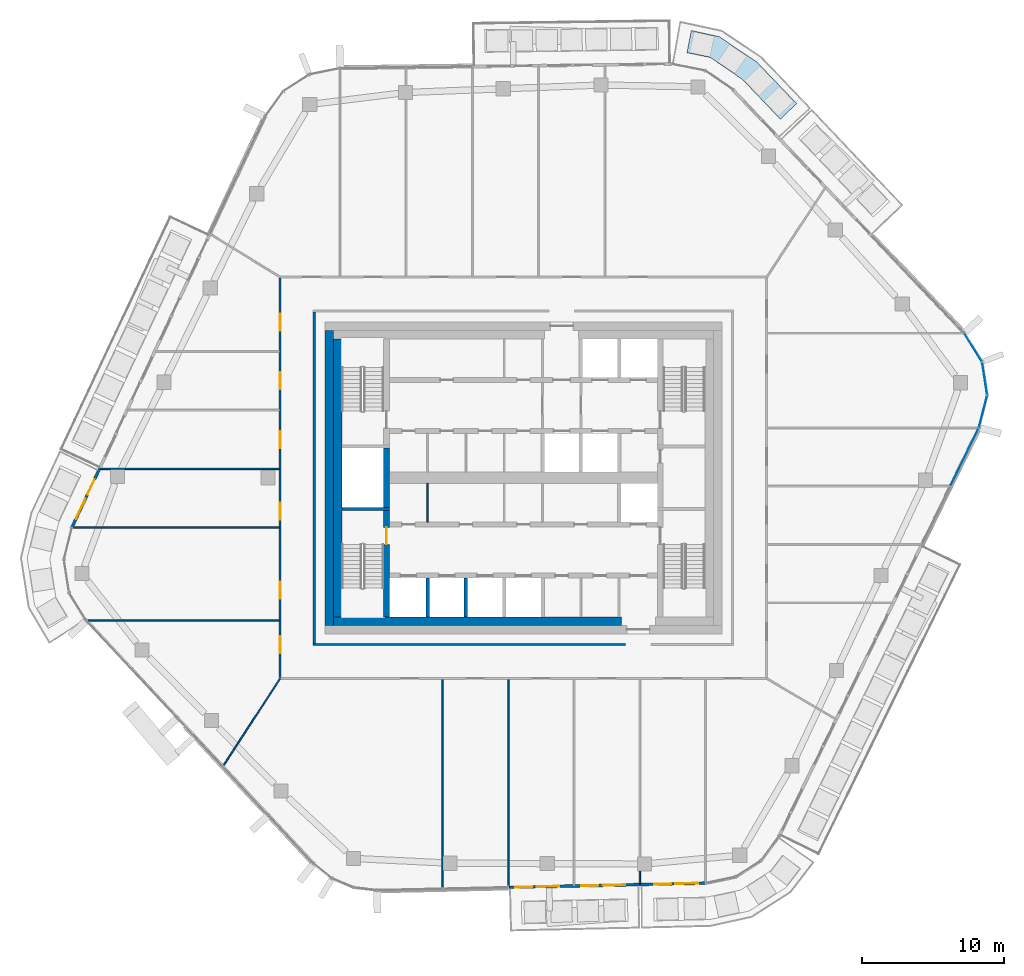
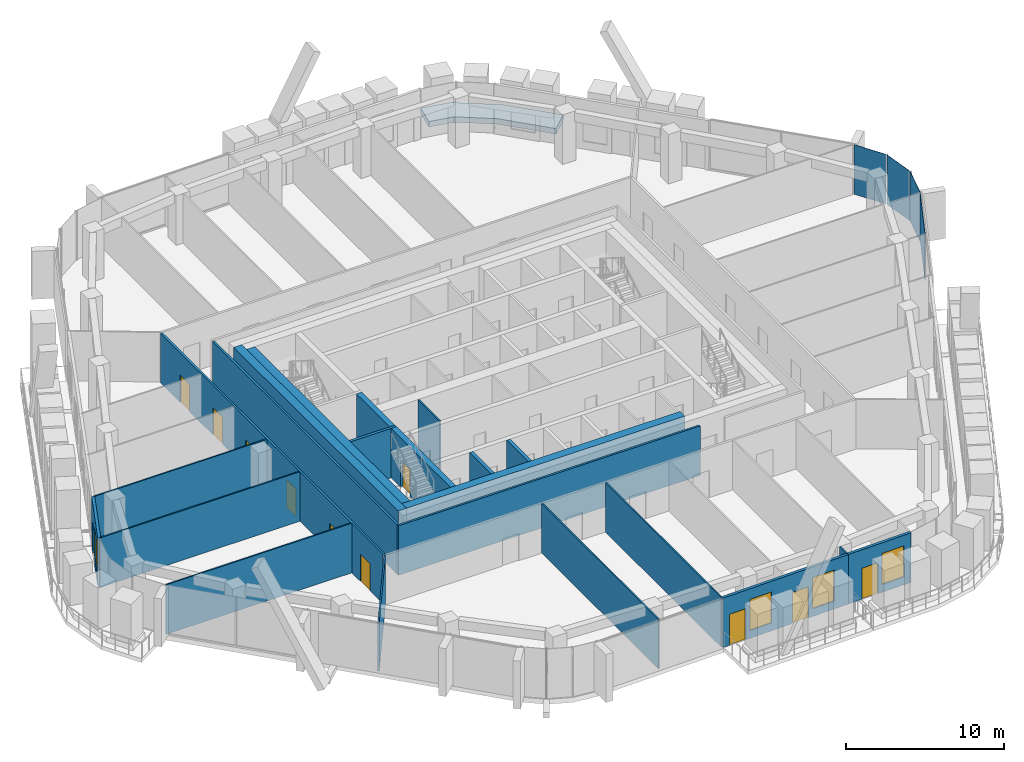
# One storey, part 12 of 23: 22 walls, 11 doors, 4 plates, 4 windows, 1 slab, 15 openings, 2 elements without a shape of their own.
"""IFC4 building model written with IfcOpenShell, lengths in metres."""

from ifc_helpers import new_model, si_unit, direction, frame, frame_2d, origin, origin_2d, place, context, subcontext, project, spatial, polyline, rectangle, outline, extrude, material, layer, layer_set, type_object, element, fill, aggregate, save


model = new_model("IFC4")

# Units and contexts
model_context = context("Model", 3, precision=1e-05, world=origin(), true_north=direction((0.0, 1.0)))
body_context = subcontext(model_context, "Body", "Model", "MODEL_VIEW")
ifc_project = project(units=[si_unit("LENGTHUNIT", "METRE"), si_unit("AREAUNIT", "SQUARE_METRE"), si_unit("VOLUMEUNIT", "CUBIC_METRE"), si_unit("PLANEANGLEUNIT", "RADIAN"), si_unit("MASSUNIT", "GRAM", prefix="KILO")], contexts=[model_context])

# Site, building, storey
site_placement = place(None, origin())
site = spatial("IfcSite", under=ifc_project, at=site_placement, CompositionType="ELEMENT")
building_placement = place(site_placement, origin())
building = spatial("IfcBuilding", under=site, at=building_placement, Name="Dongbaek Canopy Tower", CompositionType="ELEMENT")
storey_placement = place(building_placement, frame((0.0, 0.0, 340.39990234375)))
storey = spatial("IfcBuildingStorey", under=building, at=storey_placement, Name="L73", CompositionType="ELEMENT", Elevation=340.39990234375)

# Curtain wall, plates
ifc_material_1 = material(Name="Aluminium 6063-T6 pale anodised", Category="aluminium")
ifc_layer_1 = layer(ifc_material_1, 0.199951171875)
ifc_layer_set_1 = layer_set([ifc_layer_1], Name="CW-1 unitised tower curtain wall")
curtain_wall_type = type_object("IfcCurtainWallType", Name="CW-1 unitised tower curtain wall", PredefinedType="NOTDEFINED", material=ifc_layer_set_1)
curtain_wall_1_placement = place(storey_placement, origin())
curtain_wall_1 = element("IfcCurtainWall", 1, at=curtain_wall_1_placement, inside=storey, type_object=curtain_wall_type, Name="CW-1 curtain wall K0.1", PredefinedType="NOTDEFINED")
ifc_material_2 = material(Name="Clear laminated glass", Category="glass")
ifc_layer_2 = layer(ifc_material_2, 0.028076171875)
ifc_layer_set_2 = layer_set([ifc_layer_2], Name="CW-1 glazed panel 28")
plate_type = type_object("IfcPlateType", Name="CW-1 glazed panel 28", PredefinedType="CURTAIN_PANEL", material=ifc_layer_set_2)
plate_1_placement = place(storey_placement, frame((32.399169921875, 4.675048828125, 0.0), z_axis=(0.0, 0.0, 1.0), x_axis=(0.249737437294, 0.96831359198, 0.0)))
plate_1 = element("IfcPlate", 2, at=plate_1_placement, type_object=plate_type, Name="CW-1 panel K0.1.1.1", PredefinedType="CURTAIN_PANEL", context=body_context, shape_type="SweptSolid", body=[
    extrude(rectangle(XDim=2.298095703125, YDim=0.028076171875, at=origin_2d()), origin(), (0.0, 0.0, 1.0), 3.820068359375),
])
plate_2_placement = place(storey_placement, frame((32.5166015625, 7.00048828125, 0.0), z_axis=(0.0, 0.0, 1.0), x_axis=(-0.151904019597, 0.988395249296, 0.0)))
plate_2 = element("IfcPlate", 3, at=plate_2_placement, type_object=plate_type, Name="CW-1 panel K0.1.2.1", PredefinedType="CURTAIN_PANEL", context=body_context, shape_type="SweptSolid", body=[
    extrude(rectangle(XDim=2.287841796875, YDim=0.028076171875, at=origin_2d()), origin(), (0.0, 0.0, 1.0), 3.820068359375),
])
plate_3_placement = place(storey_placement, frame((31.706298828125, 9.18359375, 0.0), z_axis=(0.0, 0.0, 1.0), x_axis=(-0.528979690161, 0.848634483978, 0.0)))
plate_3 = element("IfcPlate", 4, at=plate_3_placement, type_object=plate_type, Name="CW-1 panel K0.1.3.1", PredefinedType="CURTAIN_PANEL", context=body_context, shape_type="SweptSolid", body=[
    extrude(rectangle(XDim=2.298095703125, YDim=0.028076171875, at=origin_2d()), origin(), (0.0, 0.0, 1.0), 3.820068359375),
])
aggregate(curtain_wall_1, [plate_1, plate_2, plate_3])

# Curtain wall, plate
curtain_wall_2_placement = place(storey_placement, origin())
curtain_wall_2 = element("IfcCurtainWall", 5, at=curtain_wall_2_placement, inside=storey, type_object=curtain_wall_type, Name="CW-1 curtain wall F5.1", PredefinedType="NOTDEFINED")
plate_4_placement = place(storey_placement, frame((31.09814453125, 1.469482421875, 0.1201171875), z_axis=(0.0, 0.0, 1.0), x_axis=(0.439337288093, 0.89832218457, 0.0)))
plate_4 = element("IfcPlate", 6, at=plate_4_placement, type_object=plate_type, Name="CW-1 panel F5.1.2.1", PredefinedType="CURTAIN_PANEL", context=body_context, shape_type="SweptSolid", body=[
    extrude(rectangle(XDim=4.485107421875, YDim=0.028076171875, at=origin_2d()), origin(), (0.0, 0.0, 1.0), 3.699951171875),
])
aggregate(curtain_wall_2, [plate_4])

# Slab
ifc_material_3 = material(Name="Reinforced concrete C40/50 planter box with soil", Category="concrete")
ifc_layer_3 = layer(ifc_material_3, 0.419921875)
ifc_layer_set_3 = layer_set([ifc_layer_3], Name="Terrace planter box 1600 x 420")
slab_type = type_object("IfcSlabType", Name="Terrace planter box 1600 x 420", PredefinedType="USERDEFINED", material=ifc_layer_set_3)
slab_placement = place(storey_placement, origin())
element("IfcSlab", 7, at=slab_placement, inside=storey, type_object=slab_type, Name="Balcony planter L73 6", ObjectType="PLANTER", PredefinedType="USERDEFINED", context=body_context, shape_type="SweptSolid", body=[
    extrude(outline(polyline([(18.107177734375, 25.281005859375), (15.435302734375, 28.086181640625), (13.182861328125, 29.626220703125), (11.53076171875, 29.968017578125), (11.837646484375, 31.538330078125), (13.804443359375, 31.1005859375), (16.4755859375, 29.3017578125), (19.26708984375, 26.383056640625), (18.107177734375, 25.281005859375)])), origin(), (0.0, 0.0, 1.0), 0.420166015625),
])

# Walls
ifc_material_4 = material(Name="Concrete C80/95", Category="concrete")
ifc_layer_4 = layer(ifc_material_4, 0.60009765625)
ifc_layer_set_4 = layer_set([ifc_layer_4], Name="Core outer wall 600 Concrete C80/95")
wall_type_1 = type_object("IfcWallType", Name="Core outer wall 600 Concrete C80/95", PredefinedType="SHEAR", material=ifc_layer_set_4)
wall_1_placement = place(storey_placement, frame((-13.699951171875, -10.39990234375, 0.0), z_axis=(0.0, 0.0, 1.0), x_axis=(0.0, 1.0, 0.0)))
element("IfcWall", 8, at=wall_1_placement, inside=storey, type_object=wall_type_1, Name="Core wall", PredefinedType="SHEAR", context=body_context, shape_type="SweptSolid", body=[
    extrude(rectangle(XDim=20.7998046875, YDim=0.60009765625, at=frame_2d((10.39990234375, 0.0))), origin(), (0.0, 0.0, 1.0), 3.820068359375),
])
ifc_material_5 = material(Name="Concrete C60/75", Category="concrete")
ifc_layer_5 = layer(ifc_material_5, 0.60009765625)
ifc_layer_set_5 = layer_set([ifc_layer_5], Name="Core wall lining 600 Concrete C60/75")
wall_type_2 = type_object("IfcWallType", Name="Core wall lining 600 Concrete C60/75", PredefinedType="SHEAR", material=ifc_layer_set_5)
wall_2_placement = place(storey_placement, frame((6.89990234375, -10.10009765625, 0.0), z_axis=(0.0, 0.0, 1.0), x_axis=(-1.0, 0.0, 0.0)))
element("IfcWall", 9, at=wall_2_placement, inside=storey, type_object=wall_type_2, Name="Core wall lining", PredefinedType="SHEAR", context=body_context, shape_type="SweptSolid", body=[
    extrude(rectangle(XDim=20.2998046875, YDim=0.60009765625, at=frame_2d((10.14990234375, 0.0))), origin(), (0.0, 0.0, 1.0), 3.820068359375),
])
wall_3_placement = place(storey_placement, frame((-13.10009765625, -9.800048828125, 0.0), z_axis=(0.0, 0.0, 1.0), x_axis=(0.0, 1.0, 0.0)))
element("IfcWall", 10, at=wall_3_placement, inside=storey, type_object=wall_type_2, Name="Core wall lining", PredefinedType="SHEAR", context=body_context, shape_type="SweptSolid", body=[
    extrude(rectangle(XDim=19.60009765625, YDim=0.60009765625, at=frame_2d((9.800048828125, 0.0))), origin(), (0.0, 0.0, 1.0), 3.820068359375),
])
ifc_material_6 = material(Name="Gypsum board partition, steel stud, 2 x 15 mm fire board", Category="steel")
ifc_layer_6 = layer(ifc_material_6, 0.14990234375)
ifc_layer_set_6 = layer_set([ifc_layer_6], Name="Fire-rated partition 150 gypsum board")
wall_type_3 = type_object("IfcWallType", Name="Fire-rated partition 150 gypsum board", PredefinedType="PARTITIONING", material=ifc_layer_set_6)
wall_4_placement = place(storey_placement, frame((-14.824951171875, -11.75, 0.0), z_axis=(0.0, 0.0, 1.0), x_axis=(1.0, 0.0, 0.0)))
element("IfcWall", 11, at=wall_4_placement, inside=storey, type_object=wall_type_3, Name="Corridor partition", PredefinedType="PARTITIONING", context=body_context, shape_type="SweptSolid", body=[
    extrude(rectangle(XDim=22.02490234375, YDim=0.14990234375, at=frame_2d((11.012451171875, 0.0))), origin(), (0.0, 0.0, 1.0), 3.820068359375),
])
wall_5_placement = place(storey_placement, frame((-14.75, -11.675048828125, 0.0), z_axis=(0.0, 0.0, 1.0), x_axis=(0.0, 1.0, 0.0)))
element("IfcWall", 12, at=wall_5_placement, inside=storey, type_object=wall_type_3, Name="Corridor partition", PredefinedType="PARTITIONING", context=body_context, shape_type="SweptSolid", body=[
    extrude(rectangle(XDim=23.35009765625, YDim=0.14990234375, at=frame_2d((11.675048828125, 0.0))), origin(), (0.0, 0.0, 1.0), 3.820068359375),
])

# Wall, openings, doors
wall_6_placement = place(storey_placement, frame((-17.14990234375, -14.074951171875, 0.0), z_axis=(0.0, 0.0, 1.0), x_axis=(0.0, 1.0, 0.0)))
wall_6 = element("IfcWall", 13, at=wall_6_placement, inside=storey, type_object=wall_type_3, Name="Corridor partition", PredefinedType="PARTITIONING", context=body_context, shape_type="SweptSolid", body=[
    extrude(rectangle(XDim=28.14990234375, YDim=0.14990234375, at=frame_2d((14.074951171875, 0.0))), origin(), (0.0, 0.0, 1.0), 3.820068359375),
])
opening_1_placement = place(wall_6_placement, frame((11.12158203125, 0.0, 0.0)))
opening_1 = element("IfcOpeningElement", 14, at=opening_1_placement, cuts=wall_6, Name="Opening L73-D001", PredefinedType="OPENING", context=body_context, shape_type="SweptSolid", body=[
    extrude(rectangle(XDim=1.199951171875, YDim=2.10009765625, at=frame_2d((0.60009765625, 1.050048828125))), frame((0.0, 0.0849609375, 0.0), z_axis=(0.0, -1.0, 0.0), x_axis=(1.0, 0.0, 0.0)), (0.0, 0.0, 1.0), 0.169921875),
])
opening_2_placement = place(wall_6_placement, frame((5.5546875, 0.0, 0.0)))
opening_2 = element("IfcOpeningElement", 15, at=opening_2_placement, cuts=wall_6, Name="Opening L73-D002", PredefinedType="OPENING", context=body_context, shape_type="SweptSolid", body=[
    extrude(rectangle(XDim=1.199951171875, YDim=2.10009765625, at=frame_2d((0.60009765625, 1.050048828125))), frame((0.0, 0.0849609375, 0.0), z_axis=(0.0, -1.0, 0.0), x_axis=(1.0, 0.0, 0.0)), (0.0, 0.0, 1.0), 0.169921875),
])
opening_3_placement = place(wall_6_placement, frame((1.699951171875, 0.0, 0.0)))
opening_3 = element("IfcOpeningElement", 16, at=opening_3_placement, cuts=wall_6, Name="Opening L73-D003", PredefinedType="OPENING", context=body_context, shape_type="SweptSolid", body=[
    extrude(rectangle(XDim=1.199951171875, YDim=2.10009765625, at=frame_2d((0.60009765625, 1.050048828125))), frame((0.0, 0.0849609375, 0.0), z_axis=(0.0, -1.0, 0.0), x_axis=(1.0, 0.0, 0.0)), (0.0, 0.0, 1.0), 0.169921875),
])
opening_4_placement = place(wall_6_placement, frame((24.456787109375, 0.0, 0.0)))
opening_4 = element("IfcOpeningElement", 17, at=opening_4_placement, cuts=wall_6, Name="Opening L73-D022", PredefinedType="OPENING", context=body_context, shape_type="SweptSolid", body=[
    extrude(rectangle(XDim=1.199951171875, YDim=2.10009765625, at=frame_2d((0.60009765625, 1.050048828125))), frame((0.0, 0.0849609375, 0.0), z_axis=(0.0, -1.0, 0.0), x_axis=(1.0, 0.0, 0.0)), (0.0, 0.0, 1.0), 0.169921875),
])
opening_5_placement = place(wall_6_placement, frame((20.314208984375, 0.0, 0.0)))
opening_5 = element("IfcOpeningElement", 18, at=opening_5_placement, cuts=wall_6, Name="Opening L73-D023", PredefinedType="OPENING", context=body_context, shape_type="SweptSolid", body=[
    extrude(rectangle(XDim=1.199951171875, YDim=2.10009765625, at=frame_2d((0.60009765625, 1.050048828125))), frame((0.0, 0.0849609375, 0.0), z_axis=(0.0, -1.0, 0.0), x_axis=(1.0, 0.0, 0.0)), (0.0, 0.0, 1.0), 0.169921875),
])
opening_6_placement = place(wall_6_placement, frame((16.172119140625, 0.0, 0.0)))
opening_6 = element("IfcOpeningElement", 19, at=opening_6_placement, cuts=wall_6, Name="Opening L73-D024", PredefinedType="OPENING", context=body_context, shape_type="SweptSolid", body=[
    extrude(rectangle(XDim=1.199951171875, YDim=2.10009765625, at=frame_2d((0.60009765625, 1.050048828125))), frame((0.0, 0.0849609375, 0.0), z_axis=(0.0, -1.0, 0.0), x_axis=(1.0, 0.0, 0.0)), (0.0, 0.0, 1.0), 0.169921875),
])
ifc_material_7 = material(Name="Timber veneered door leaf", Category="wood")
door_type_1 = type_object("IfcDoorType", Name="Room door 1200 x 2100", OperationType="SINGLE_SWING_LEFT", PredefinedType="DOOR", material=ifc_material_7)
door_1_placement = place(opening_1_placement, origin())
door_1 = element("IfcDoor", 20, at=door_1_placement, inside=storey, type_object=door_type_1, Name="Door L73-D001", OperationType="SINGLE_SWING_RIGHT", OverallHeight=2.10009765625, OverallWidth=1.199951171875, PredefinedType="DOOR", context=body_context, shape_type="SweptSolid", body=[
    extrude(rectangle(XDim=1.199951171875, YDim=2.10009765625, at=frame_2d((0.60009765625, 1.050048828125))), frame((0.0, 0.02490234375, 0.0), z_axis=(0.0, -1.0, 0.0), x_axis=(1.0, 0.0, 0.0)), (0.0, 0.0, 1.0), 0.050048828125),
])
fill(opening_1, door_1)
door_2_placement = place(opening_2_placement, origin())
door_2 = element("IfcDoor", 21, at=door_2_placement, inside=storey, type_object=door_type_1, Name="Door L73-D002", OperationType="SINGLE_SWING_LEFT", OverallHeight=2.10009765625, OverallWidth=1.199951171875, PredefinedType="DOOR", context=body_context, shape_type="SweptSolid", body=[
    extrude(rectangle(XDim=1.199951171875, YDim=2.10009765625, at=frame_2d((0.60009765625, 1.050048828125))), frame((0.0, 0.02490234375, 0.0), z_axis=(0.0, -1.0, 0.0), x_axis=(1.0, 0.0, 0.0)), (0.0, 0.0, 1.0), 0.050048828125),
])
fill(opening_2, door_2)
door_3_placement = place(opening_3_placement, origin())
door_3 = element("IfcDoor", 22, at=door_3_placement, inside=storey, type_object=door_type_1, Name="Door L73-D003", OperationType="SINGLE_SWING_RIGHT", OverallHeight=2.10009765625, OverallWidth=1.199951171875, PredefinedType="DOOR", context=body_context, shape_type="SweptSolid", body=[
    extrude(rectangle(XDim=1.199951171875, YDim=2.10009765625, at=frame_2d((0.60009765625, 1.050048828125))), frame((0.0, 0.02490234375, 0.0), z_axis=(0.0, -1.0, 0.0), x_axis=(1.0, 0.0, 0.0)), (0.0, 0.0, 1.0), 0.050048828125),
])
fill(opening_3, door_3)
door_4_placement = place(opening_4_placement, origin())
door_4 = element("IfcDoor", 23, at=door_4_placement, inside=storey, type_object=door_type_1, Name="Door L73-D022", OperationType="SINGLE_SWING_LEFT", OverallHeight=2.10009765625, OverallWidth=1.199951171875, PredefinedType="DOOR", context=body_context, shape_type="SweptSolid", body=[
    extrude(rectangle(XDim=1.199951171875, YDim=2.10009765625, at=frame_2d((0.60009765625, 1.050048828125))), frame((0.0, 0.02490234375, 0.0), z_axis=(0.0, -1.0, 0.0), x_axis=(1.0, 0.0, 0.0)), (0.0, 0.0, 1.0), 0.050048828125),
])
fill(opening_4, door_4)
door_5_placement = place(opening_5_placement, origin())
door_5 = element("IfcDoor", 24, at=door_5_placement, inside=storey, type_object=door_type_1, Name="Door L73-D023", OperationType="SINGLE_SWING_RIGHT", OverallHeight=2.10009765625, OverallWidth=1.199951171875, PredefinedType="DOOR", context=body_context, shape_type="SweptSolid", body=[
    extrude(rectangle(XDim=1.199951171875, YDim=2.10009765625, at=frame_2d((0.60009765625, 1.050048828125))), frame((0.0, 0.02490234375, 0.0), z_axis=(0.0, -1.0, 0.0), x_axis=(1.0, 0.0, 0.0)), (0.0, 0.0, 1.0), 0.050048828125),
])
fill(opening_5, door_5)
door_6_placement = place(opening_6_placement, origin())
door_6 = element("IfcDoor", 25, at=door_6_placement, inside=storey, type_object=door_type_1, Name="Door L73-D024", OperationType="SINGLE_SWING_LEFT", OverallHeight=2.10009765625, OverallWidth=1.199951171875, PredefinedType="DOOR", context=body_context, shape_type="SweptSolid", body=[
    extrude(rectangle(XDim=1.199951171875, YDim=2.10009765625, at=frame_2d((0.60009765625, 1.050048828125))), frame((0.0, 0.02490234375, 0.0), z_axis=(0.0, -1.0, 0.0), x_axis=(1.0, 0.0, 0.0)), (0.0, 0.0, 1.0), 0.050048828125),
])
fill(opening_6, door_6)

# Walls
ifc_material_8 = material(Name="Concrete C40/50", Category="concrete")
ifc_layer_7 = layer(ifc_material_8, 0.25)
ifc_layer_set_7 = layer_set([ifc_layer_7], Name="Lift shaft wall 250 Concrete C40/50")
wall_type_4 = type_object("IfcWallType", Name="Lift shaft wall 250 Concrete C40/50", PredefinedType="SOLIDWALL", material=ifc_layer_set_7)
for number, where, z_axis, x_axis, name in (
    (26, (-4.050048828125, -9.800048828125, 0.0), (0.0, 0.0, 1.0), (0.0, 1.0, 0.0), "Lift shaft wall"),
    (27, (-6.75, -9.800048828125, 0.0), (0.0, 0.0, 1.0), (0.0, 1.0, 0.0), "Lift shaft wall"),
):
    element("IfcWall", number, at=place(storey_placement, frame(where, z_axis=z_axis, x_axis=x_axis)), inside=storey, type_object=wall_type_4, Name=name, PredefinedType="SOLIDWALL", context=body_context, shape_type="SweptSolid", body=[
        extrude(rectangle(XDim=2.72509765625, YDim=0.25, at=frame_2d((1.362548828125, 0.0))), origin(), (0.0, 0.0, 1.0), 3.820068359375),
    ])
ifc_material_9 = material(Name="Gypsum board partition, steel stud, 2 x 12.5 mm board", Category="steel")
ifc_layer_8 = layer(ifc_material_9, 0.10009765625)
ifc_layer_set_8 = layer_set([ifc_layer_8], Name="Partition 100 gypsum board")
wall_type_5 = type_object("IfcWallType", Name="Partition 100 gypsum board", PredefinedType="PARTITIONING", material=ifc_layer_set_8)
wall_7_placement = place(storey_placement, frame((-30.773193359375, -10.06396484375, 0.0), z_axis=(0.0, 0.0, 1.0), x_axis=(1.0, 0.0, 0.0)))
element("IfcWall", 28, at=wall_7_placement, inside=storey, type_object=wall_type_5, Name="Partition", PredefinedType="PARTITIONING", context=body_context, shape_type="SweptSolid", body=[
    extrude(rectangle(XDim=13.548095703125, YDim=0.10009765625, at=frame_2d((6.77392578125, 0.0))), origin(), (0.0, 0.0, 1.0), 3.820068359375),
])
wall_8_placement = place(storey_placement, frame((-31.810791015625, -3.507080078125, 0.0), z_axis=(0.0, 0.0, 1.0), x_axis=(1.0, 0.0, 0.0)))
element("IfcWall", 29, at=wall_8_placement, inside=storey, type_object=wall_type_5, Name="Partition", PredefinedType="PARTITIONING", context=body_context, shape_type="SweptSolid", body=[
    extrude(rectangle(XDim=14.585693359375, YDim=0.10009765625, at=frame_2d((7.29296875, 0.0))), origin(), (0.0, 0.0, 1.0), 3.820068359375),
])
wall_9_placement = place(storey_placement, frame((-29.867431640625, 0.6259765625, 0.0), z_axis=(0.0, 0.0, 1.0), x_axis=(1.0, 0.0, 0.0)))
element("IfcWall", 30, at=wall_9_placement, inside=storey, type_object=wall_type_5, Name="Partition", PredefinedType="PARTITIONING", context=body_context, shape_type="SweptSolid", body=[
    extrude(rectangle(XDim=12.642333984375, YDim=0.10009765625, at=frame_2d((6.3212890625, 0.0))), origin(), (0.0, 0.0, 1.0), 3.820068359375),
])
wall_10_placement = place(storey_placement, frame((-21.17578125, -20.328125, 0.0), z_axis=(0.0, 0.0, 1.0), x_axis=(0.5459597113, 0.837811430834, 0.0)))
element("IfcWall", 31, at=wall_10_placement, inside=storey, type_object=wall_type_5, Name="Partition", PredefinedType="PARTITIONING", context=body_context, shape_type="SweptSolid", body=[
    extrude(rectangle(XDim=7.3740234375, YDim=0.10009765625, at=frame_2d((3.68701171875, 0.0))), origin(), (0.0, 0.0, 1.0), 3.820068359375),
])
wall_11_placement = place(storey_placement, frame((8.214111328125, -28.651611328125, 0.0), z_axis=(0.0, 0.0, 1.0), x_axis=(0.0, 1.0, 0.0)))
element("IfcWall", 32, at=wall_11_placement, inside=storey, type_object=wall_type_5, Name="Partition", PredefinedType="PARTITIONING", context=body_context, shape_type="SweptSolid", body=[
    extrude(rectangle(XDim=0.924560546875, YDim=0.10009765625, at=frame_2d((0.46240234375, 0.0))), origin(), (0.0, 0.0, 1.0), 3.820068359375),
])
wall_12_placement = place(storey_placement, frame((-1.06103515625, -28.852783203125, 0.0), z_axis=(0.0, 0.0, 1.0), x_axis=(0.0, 1.0, 0.0)))
element("IfcWall", 33, at=wall_12_placement, inside=storey, type_object=wall_type_5, Name="Partition", PredefinedType="PARTITIONING", context=body_context, shape_type="SweptSolid", body=[
    extrude(rectangle(XDim=14.627685546875, YDim=0.10009765625, at=frame_2d((7.31396484375, 0.0))), origin(), (0.0, 0.0, 1.0), 3.820068359375),
])
wall_13_placement = place(storey_placement, frame((-5.698974609375, -28.953125, 0.0), z_axis=(0.0, 0.0, 1.0), x_axis=(0.0, 1.0, 0.0)))
element("IfcWall", 34, at=wall_13_placement, inside=storey, type_object=wall_type_5, Name="Partition", PredefinedType="PARTITIONING", context=body_context, shape_type="SweptSolid", body=[
    extrude(rectangle(XDim=14.72802734375, YDim=0.10009765625, at=frame_2d((7.364013671875, 0.0))), origin(), (0.0, 0.0, 1.0), 3.820068359375),
])
wall_14_placement = place(storey_placement, frame((-6.75, -3.125, 0.0), z_axis=(0.0, 0.0, 1.0), x_axis=(0.0, 1.0, 0.0)))
element("IfcWall", 35, at=wall_14_placement, inside=storey, type_object=wall_type_5, Name="Core partition", PredefinedType="PARTITIONING", context=body_context, shape_type="SweptSolid", body=[
    extrude(rectangle(XDim=2.72509765625, YDim=0.10009765625, at=frame_2d((1.362548828125, 0.0))), origin(), (0.0, 0.0, 1.0), 3.820068359375),
])
ifc_material_10 = material(Name="Concrete C60/75", Category="concrete")
ifc_layer_9 = layer(ifc_material_10, 0.199951171875)
ifc_layer_set_9 = layer_set([ifc_layer_9], Name="Riser wall 200 Concrete C60/75")
wall_type_6 = type_object("IfcWallType", Name="Riser wall 200 Concrete C60/75", PredefinedType="SHEAR", material=ifc_layer_set_9)
wall_15_placement = place(storey_placement, frame((-9.449951171875, -2.199951171875, 0.0), z_axis=(0.0, 0.0, 1.0), x_axis=(-1.0, 0.0, 0.0)))
element("IfcWall", 36, at=wall_15_placement, inside=storey, type_object=wall_type_6, Name="Riser wall", PredefinedType="SHEAR", context=body_context, shape_type="SweptSolid", body=[
    extrude(rectangle(XDim=3.35009765625, YDim=0.199951171875, at=frame_2d((1.675048828125, 0.0))), origin(), (0.0, 0.0, 1.0), 3.820068359375),
])

# Wall, opening, door
ifc_material_11 = material(Name="Concrete C60/75", Category="concrete")
ifc_layer_10 = layer(ifc_material_11, 0.39990234375)
ifc_layer_set_10 = layer_set([ifc_layer_10], Name="Stair wall 400 Concrete C60/75")
wall_type_7 = type_object("IfcWallType", Name="Stair wall 400 Concrete C60/75", PredefinedType="SHEAR", material=ifc_layer_set_10)
wall_16_placement = place(storey_placement, frame((-9.64990234375, -9.800048828125, 0.0), z_axis=(0.0, 0.0, 1.0), x_axis=(0.0, 1.0, 0.0)))
wall_16 = element("IfcWall", 37, at=wall_16_placement, inside=storey, type_object=wall_type_7, Name="Stair wall", PredefinedType="SHEAR", context=body_context, shape_type="SweptSolid", body=[
    extrude(rectangle(XDim=7.5, YDim=0.39990234375, at=frame_2d((3.75, 0.0))), origin(), (0.0, 0.0, 1.0), 3.820068359375),
])
opening_7_placement = place(wall_16_placement, frame((5.10009765625, 0.0, 0.0)))
opening_7 = element("IfcOpeningElement", 38, at=opening_7_placement, cuts=wall_16, Name="Opening L73-D055", PredefinedType="OPENING", context=body_context, shape_type="SweptSolid", body=[
    extrude(rectangle(XDim=1.199951171875, YDim=2.10009765625, at=frame_2d((0.60009765625, 1.050048828125))), frame((0.0, 0.2099609375, 0.0), z_axis=(0.0, -1.0, 0.0), x_axis=(1.0, 0.0, 0.0)), (0.0, 0.0, 1.0), 0.419921875),
])
ifc_material_12 = material(Name="Steel", Category="steel")
door_type_2 = type_object("IfcDoorType", Name="Stair door 1200 x 2100", OperationType="SINGLE_SWING_LEFT", PredefinedType="DOOR", material=ifc_material_12)
door_7_placement = place(opening_7_placement, origin())
door_7 = element("IfcDoor", 39, at=door_7_placement, inside=storey, type_object=door_type_2, Name="Stair D door", OperationType="SINGLE_SWING_LEFT", OverallHeight=2.10009765625, OverallWidth=1.199951171875, PredefinedType="DOOR", context=body_context, shape_type="SweptSolid", body=[
    extrude(rectangle(XDim=1.199951171875, YDim=2.10009765625, at=frame_2d((0.60009765625, 1.050048828125))), frame((0.0, 0.02490234375, 0.0), z_axis=(0.0, -1.0, 0.0), x_axis=(1.0, 0.0, 0.0)), (0.0, 0.0, 1.0), 0.050048828125),
])
fill(opening_7, door_7)

# Wall
wall_17_placement = place(storey_placement, frame((-9.64990234375, -2.10009765625, 0.0), z_axis=(0.0, 0.0, 1.0), x_axis=(0.0, 1.0, 0.0)))
element("IfcWall", 40, at=wall_17_placement, inside=storey, type_object=wall_type_7, Name="Stair wall", PredefinedType="SHEAR", context=body_context, shape_type="SweptSolid", body=[
    extrude(rectangle(XDim=4.2001953125, YDim=0.39990234375, at=frame_2d((2.10009765625, 0.0))), origin(), (0.0, 0.0, 1.0), 3.820068359375),
])

# Wall, openings, door, window
ifc_material_13 = material(Name="Aluminium window wall", Category="aluminium")
ifc_layer_11 = layer(ifc_material_13, 0.199951171875)
ifc_layer_set_11 = layer_set([ifc_layer_11], Name="Window wall 200")
wall_type_8 = type_object("IfcWallType", Name="Window wall 200", PredefinedType="SOLIDWALL", material=ifc_layer_set_11)
wall_18_placement = place(storey_placement, frame((-29.889404296875, 0.625732421875, 0.0), z_axis=(0.0, 0.0, 1.0), x_axis=(-0.425531877643, -0.904943435309, 0.0)))
wall_18 = element("IfcWall", 41, at=wall_18_placement, inside=storey, type_object=wall_type_8, Name="Window wall L73 7", PredefinedType="SOLIDWALL", context=body_context, shape_type="SweptSolid", body=[
    extrude(rectangle(XDim=4.5673828125, YDim=0.199951171875, at=frame_2d((2.28369140625, 0.0))), origin(), (0.0, 0.0, 1.0), 3.820068359375),
])
opening_8_placement = place(wall_18_placement, frame((2.300048828125, 0.0, 0.60009765625)))
opening_8 = element("IfcOpeningElement", 42, at=opening_8_placement, cuts=wall_18, Name="Opening W1", PredefinedType="OPENING", context=body_context, shape_type="SweptSolid", body=[
    extrude(rectangle(XDim=1.60009765625, YDim=2.39990234375, at=frame_2d((0.800048828125, 1.199951171875))), frame((0.0, 0.10986328125, 0.0), z_axis=(0.0, -1.0, 0.0), x_axis=(1.0, 0.0, 0.0)), (0.0, 0.0, 1.0), 0.219970703125),
])
opening_9_placement = place(wall_18_placement, frame((0.800048828125, 0.0, 0.0)))
opening_9 = element("IfcOpeningElement", 43, at=opening_9_placement, cuts=wall_18, Name="Opening L73-B11", PredefinedType="OPENING", context=body_context, shape_type="SweptSolid", body=[
    extrude(rectangle(XDim=1.199951171875, YDim=2.39990234375, at=frame_2d((0.60009765625, 1.199951171875))), frame((0.0, 0.10986328125, 0.0), z_axis=(0.0, -1.0, 0.0), x_axis=(1.0, 0.0, 0.0)), (0.0, 0.0, 1.0), 0.219970703125),
])
ifc_material_14 = material(Name="Clear glazing in aluminium frame", Category="aluminium")
door_type_3 = type_object("IfcDoorType", Name="Balcony door BD1 1200 x 2400", OperationType="SLIDING_TO_LEFT", PredefinedType="DOOR", material=ifc_material_14)
door_8_placement = place(opening_9_placement, origin())
door_8 = element("IfcDoor", 44, at=door_8_placement, inside=storey, type_object=door_type_3, Name="Balcony door L73-B11", OperationType="SLIDING_TO_LEFT", OverallHeight=2.39990234375, OverallWidth=1.199951171875, PredefinedType="DOOR", context=body_context, shape_type="SweptSolid", body=[
    extrude(rectangle(XDim=1.199951171875, YDim=2.39990234375, at=frame_2d((0.60009765625, 1.199951171875))), frame((0.0, 0.02490234375, 0.0), z_axis=(0.0, -1.0, 0.0), x_axis=(1.0, 0.0, 0.0)), (0.0, 0.0, 1.0), 0.050048828125),
])
fill(opening_9, door_8)
ifc_material_15 = material(Name="Clear glazing in aluminium frame", Category="aluminium")
window_type = type_object("IfcWindowType", Name="Window W1 1600 x 2400", PartitioningType="SINGLE_PANEL", PredefinedType="WINDOW", material=ifc_material_15)
window_1_placement = place(opening_8_placement, origin())
window_1 = element("IfcWindow", 45, at=window_1_placement, inside=storey, type_object=window_type, Name="Window L73 7.1", OverallHeight=2.39990234375, OverallWidth=1.60009765625, PartitioningType="SINGLE_PANEL", PredefinedType="WINDOW", context=body_context, shape_type="SweptSolid", body=[
    extrude(rectangle(XDim=1.60009765625, YDim=2.39990234375, at=frame_2d((0.800048828125, 1.199951171875))), frame((0.0, 0.030029296875, 0.0), z_axis=(0.0, -1.0, 0.0), x_axis=(1.0, 0.0, 0.0)), (0.0, 0.0, 1.0), 0.06005859375),
])
fill(opening_8, window_1)

# Wall, openings, doors, windows
wall_19_placement = place(storey_placement, frame((-1.06103515625, -28.872802734375, 0.0), z_axis=(0.0, 0.0, 1.0), x_axis=(0.999764856684, 0.02168481816, 0.0)))
wall_19 = element("IfcWall", 46, at=wall_19_placement, inside=storey, type_object=wall_type_8, Name="Window wall L73 4", PredefinedType="SOLIDWALL", context=body_context, shape_type="SweptSolid", body=[
    extrude(rectangle(XDim=9.277099609375, YDim=0.199951171875, at=frame_2d((4.638671875, 0.0))), origin(), (0.0, 0.0, 1.0), 3.820068359375),
])
opening_10_placement = place(wall_19_placement, frame((2.0, 0.0, 0.60009765625)))
opening_10 = element("IfcOpeningElement", 47, at=opening_10_placement, cuts=wall_19, Name="Opening W1", PredefinedType="OPENING", context=body_context, shape_type="SweptSolid", body=[
    extrude(rectangle(XDim=1.60009765625, YDim=2.39990234375, at=frame_2d((0.800048828125, 1.199951171875))), frame((0.0, 0.10986328125, 0.0), z_axis=(0.0, -1.0, 0.0), x_axis=(1.0, 0.0, 0.0)), (0.0, 0.0, 1.0), 0.219970703125),
])
opening_11_placement = place(wall_19_placement, frame((0.5, 0.0, 0.0)))
opening_11 = element("IfcOpeningElement", 48, at=opening_11_placement, cuts=wall_19, Name="Opening L73-B12", PredefinedType="OPENING", context=body_context, shape_type="SweptSolid", body=[
    extrude(rectangle(XDim=1.199951171875, YDim=2.39990234375, at=frame_2d((0.60009765625, 1.199951171875))), frame((0.0, 0.10986328125, 0.0), z_axis=(0.0, -1.0, 0.0), x_axis=(1.0, 0.0, 0.0)), (0.0, 0.0, 1.0), 0.219970703125),
])
opening_12_placement = place(wall_19_placement, frame((6.638427734375, 0.0, 0.60009765625)))
opening_12 = element("IfcOpeningElement", 49, at=opening_12_placement, cuts=wall_19, Name="Opening W1", PredefinedType="OPENING", context=body_context, shape_type="SweptSolid", body=[
    extrude(rectangle(XDim=1.60009765625, YDim=2.39990234375, at=frame_2d((0.800048828125, 1.199951171875))), frame((0.0, 0.10986328125, 0.0), z_axis=(0.0, -1.0, 0.0), x_axis=(1.0, 0.0, 0.0)), (0.0, 0.0, 1.0), 0.219970703125),
])
opening_13_placement = place(wall_19_placement, frame((5.138427734375, 0.0, 0.0)))
opening_13 = element("IfcOpeningElement", 50, at=opening_13_placement, cuts=wall_19, Name="Opening L73-B13", PredefinedType="OPENING", context=body_context, shape_type="SweptSolid", body=[
    extrude(rectangle(XDim=1.199951171875, YDim=2.39990234375, at=frame_2d((0.60009765625, 1.199951171875))), frame((0.0, 0.10986328125, 0.0), z_axis=(0.0, -1.0, 0.0), x_axis=(1.0, 0.0, 0.0)), (0.0, 0.0, 1.0), 0.219970703125),
])
door_9_placement = place(opening_11_placement, origin())
door_9 = element("IfcDoor", 51, at=door_9_placement, inside=storey, type_object=door_type_3, Name="Balcony door L73-B12", OperationType="SLIDING_TO_LEFT", OverallHeight=2.39990234375, OverallWidth=1.199951171875, PredefinedType="DOOR", context=body_context, shape_type="SweptSolid", body=[
    extrude(rectangle(XDim=1.199951171875, YDim=2.39990234375, at=frame_2d((0.60009765625, 1.199951171875))), frame((0.0, 0.02490234375, 0.0), z_axis=(0.0, -1.0, 0.0), x_axis=(1.0, 0.0, 0.0)), (0.0, 0.0, 1.0), 0.050048828125),
])
fill(opening_11, door_9)
door_10_placement = place(opening_13_placement, origin())
door_10 = element("IfcDoor", 52, at=door_10_placement, inside=storey, type_object=door_type_3, Name="Balcony door L73-B13", OperationType="SLIDING_TO_LEFT", OverallHeight=2.39990234375, OverallWidth=1.199951171875, PredefinedType="DOOR", context=body_context, shape_type="SweptSolid", body=[
    extrude(rectangle(XDim=1.199951171875, YDim=2.39990234375, at=frame_2d((0.60009765625, 1.199951171875))), frame((0.0, 0.02490234375, 0.0), z_axis=(0.0, -1.0, 0.0), x_axis=(1.0, 0.0, 0.0)), (0.0, 0.0, 1.0), 0.050048828125),
])
fill(opening_13, door_10)
window_2_placement = place(opening_10_placement, origin())
window_2 = element("IfcWindow", 53, at=window_2_placement, inside=storey, type_object=window_type, Name="Window L73 4.1", OverallHeight=2.39990234375, OverallWidth=1.60009765625, PartitioningType="SINGLE_PANEL", PredefinedType="WINDOW", context=body_context, shape_type="SweptSolid", body=[
    extrude(rectangle(XDim=1.60009765625, YDim=2.39990234375, at=frame_2d((0.800048828125, 1.199951171875))), frame((0.0, 0.030029296875, 0.0), z_axis=(0.0, -1.0, 0.0), x_axis=(1.0, 0.0, 0.0)), (0.0, 0.0, 1.0), 0.06005859375),
])
fill(opening_10, window_2)
window_3_placement = place(opening_12_placement, origin())
window_3 = element("IfcWindow", 54, at=window_3_placement, inside=storey, type_object=window_type, Name="Window L73 4.2", OverallHeight=2.39990234375, OverallWidth=1.60009765625, PartitioningType="SINGLE_PANEL", PredefinedType="WINDOW", context=body_context, shape_type="SweptSolid", body=[
    extrude(rectangle(XDim=1.60009765625, YDim=2.39990234375, at=frame_2d((0.800048828125, 1.199951171875))), frame((0.0, 0.030029296875, 0.0), z_axis=(0.0, -1.0, 0.0), x_axis=(1.0, 0.0, 0.0)), (0.0, 0.0, 1.0), 0.06005859375),
])
fill(opening_12, window_3)

# Wall, openings, door, window
wall_20_placement = place(storey_placement, frame((8.2138671875, -28.671630859375, 0.0), z_axis=(0.0, 0.0, 1.0), x_axis=(0.999765057624, 0.021675551969, 0.0)))
wall_20 = element("IfcWall", 55, at=wall_20_placement, inside=storey, type_object=wall_type_8, Name="Window wall L73 8", PredefinedType="SOLIDWALL", context=body_context, shape_type="SweptSolid", body=[
    extrude(rectangle(XDim=4.629150390625, YDim=0.199951171875, at=frame_2d((2.314453125, 0.0))), origin(), (0.0, 0.0, 1.0), 3.820068359375),
])
opening_14_placement = place(wall_20_placement, frame((2.5, 0.0, 0.60009765625)))
opening_14 = element("IfcOpeningElement", 56, at=opening_14_placement, cuts=wall_20, Name="Opening W1", PredefinedType="OPENING", context=body_context, shape_type="SweptSolid", body=[
    extrude(rectangle(XDim=1.60009765625, YDim=2.39990234375, at=frame_2d((0.800048828125, 1.199951171875))), frame((0.0, 0.10986328125, 0.0), z_axis=(0.0, -1.0, 0.0), x_axis=(1.0, 0.0, 0.0)), (0.0, 0.0, 1.0), 0.219970703125),
])
opening_15_placement = place(wall_20_placement, frame((1.0, 0.0, 0.0)))
opening_15 = element("IfcOpeningElement", 57, at=opening_15_placement, cuts=wall_20, Name="Opening L73-B14", PredefinedType="OPENING", context=body_context, shape_type="SweptSolid", body=[
    extrude(rectangle(XDim=1.199951171875, YDim=2.39990234375, at=frame_2d((0.60009765625, 1.199951171875))), frame((0.0, 0.10986328125, 0.0), z_axis=(0.0, -1.0, 0.0), x_axis=(1.0, 0.0, 0.0)), (0.0, 0.0, 1.0), 0.219970703125),
])
door_11_placement = place(opening_15_placement, origin())
door_11 = element("IfcDoor", 58, at=door_11_placement, inside=storey, type_object=door_type_3, Name="Balcony door L73-B14", OperationType="SLIDING_TO_LEFT", OverallHeight=2.39990234375, OverallWidth=1.199951171875, PredefinedType="DOOR", context=body_context, shape_type="SweptSolid", body=[
    extrude(rectangle(XDim=1.199951171875, YDim=2.39990234375, at=frame_2d((0.60009765625, 1.199951171875))), frame((0.0, 0.02490234375, 0.0), z_axis=(0.0, -1.0, 0.0), x_axis=(1.0, 0.0, 0.0)), (0.0, 0.0, 1.0), 0.050048828125),
])
fill(opening_15, door_11)
window_4_placement = place(opening_14_placement, origin())
window_4 = element("IfcWindow", 59, at=window_4_placement, inside=storey, type_object=window_type, Name="Window L73 8.1", OverallHeight=2.39990234375, OverallWidth=1.60009765625, PartitioningType="SINGLE_PANEL", PredefinedType="WINDOW", context=body_context, shape_type="SweptSolid", body=[
    extrude(rectangle(XDim=1.60009765625, YDim=2.39990234375, at=frame_2d((0.800048828125, 1.199951171875))), frame((0.0, 0.030029296875, 0.0), z_axis=(0.0, -1.0, 0.0), x_axis=(1.0, 0.0, 0.0)), (0.0, 0.0, 1.0), 0.06005859375),
])
fill(opening_14, window_4)

save(model, "model.ifc")
